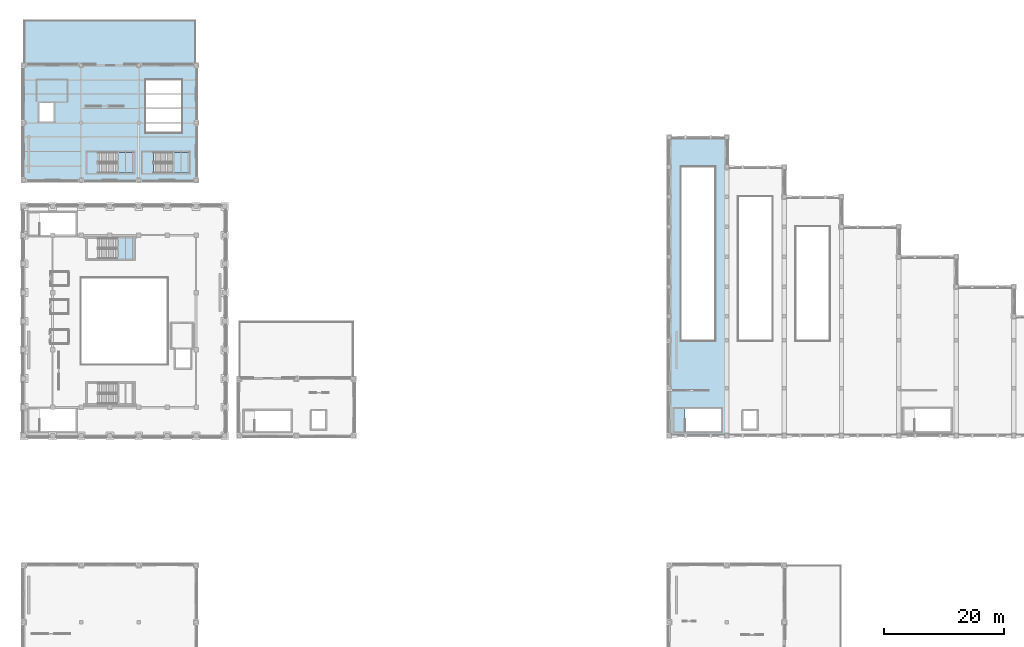
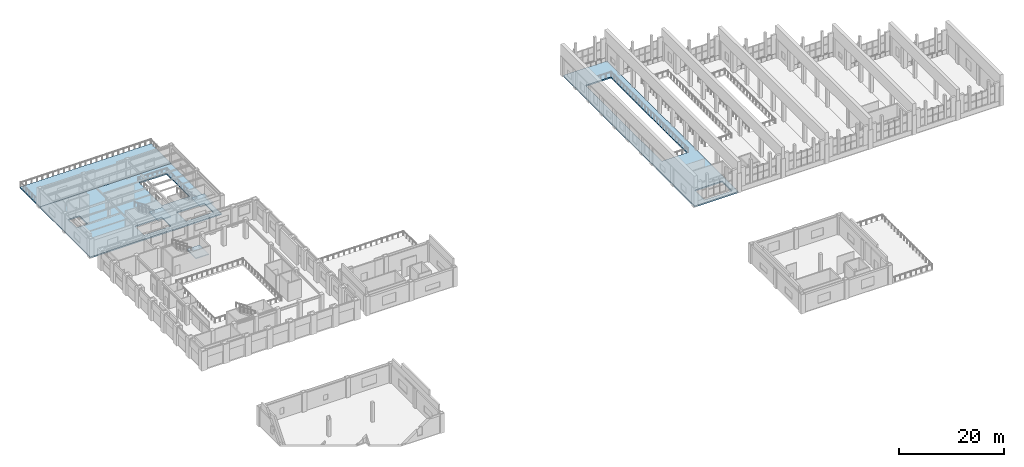
# One storey, part 22 of 46: 6 slabs, 3 elements without a shape of their own.
"""IFC4 building model written with IfcOpenShell, lengths in metres."""

from ifc_helpers import new_model, si_unit, direction, frame, origin, place, context, subcontext, project, spatial, polyline, outline, extrude, material, layer, layer_set, type_object, element, aggregate, save


model = new_model("IFC4")

# Units and contexts
model_context = context("Model", 3, precision=1e-05, world=origin(), true_north=direction((0.0, 1.0)))
body_context = subcontext(model_context, "Body", "Model", "MODEL_VIEW")
ifc_project = project(units=[si_unit("LENGTHUNIT", "METRE"), si_unit("AREAUNIT", "SQUARE_METRE"), si_unit("VOLUMEUNIT", "CUBIC_METRE"), si_unit("PLANEANGLEUNIT", "RADIAN"), si_unit("MASSUNIT", "GRAM", prefix="KILO")], contexts=[model_context])

# Site, building, storey
site_placement = place(None, origin())
site = spatial("IfcSite", under=ifc_project, at=site_placement, CompositionType="ELEMENT")
building_placement = place(site_placement, origin())
building = spatial("IfcBuilding", under=site, at=building_placement, Name="Mavantir Sound Aquarium", CompositionType="ELEMENT")
storey_placement = place(building_placement, frame((0.0, 0.0, 15.300048828125)))
storey = spatial("IfcBuildingStorey", under=building, at=storey_placement, Name="L03", CompositionType="ELEMENT", Elevation=15.300048828125)

# Slabs
ifc_material = material(Name="Concrete C40/50", Category="concrete")
ifc_layer_1 = layer(ifc_material, 0.280029296875, Name="Concrete C40/50")
ifc_layer_set_1 = layer_set([ifc_layer_1], Name="Concrete C40/50")
slab_type_1 = type_object("IfcSlabType", Name="SLB-FS-04", PredefinedType="FLOOR", material=ifc_layer_set_1)
slab_1_placement = place(storey_placement, frame((0.0, 0.0, -0.280029296875)))
element("IfcSlab", 1, at=slab_1_placement, inside=storey, type_object=slab_type_1, Name="L03 structural slab FS-04 (V5)", PredefinedType="FLOOR", context=body_context, shape_type="SweptSolid", body=[
    extrude(outline(polyline([(28.800048828125, 83.60009765625), (28.800048828125, 102.800048828125), (0.0, 102.800048828125), (0.0, 83.60009765625), (28.800048828125, 83.60009765625)]), holes=[polyline([(20.39990234375, 91.60009765625), (26.39990234375, 91.60009765625), (26.39990234375, 100.39990234375), (20.39990234375, 100.39990234375), (20.39990234375, 91.60009765625)]), polyline([(12.39990234375, 84.800048828125), (18.39990234375, 84.800048828125), (18.39990234375, 88.25), (12.39990234375, 88.25), (12.39990234375, 84.800048828125)]), polyline([(21.699951171875, 84.800048828125), (27.699951171875, 84.800048828125), (27.699951171875, 88.25), (21.699951171875, 88.25), (21.699951171875, 84.800048828125)]), polyline([(2.60009765625, 93.39990234375), (5.0, 93.39990234375), (5.0, 96.5), (2.60009765625, 96.5), (2.60009765625, 93.39990234375)])]), origin(), (0.0, 0.0, 1.0), 0.280029296875),
])
ifc_layer_2 = layer(ifc_material, 0.31005859375, Name="Concrete C40/50")
ifc_layer_set_2 = layer_set([ifc_layer_2], Name="Concrete C40/50")
slab_type_2 = type_object("IfcSlabType", Name="SLB-FS-07", PredefinedType="FLOOR", material=ifc_layer_set_2)
slab_2_placement = place(storey_placement, frame((0.0, 0.0, -0.31005859375)))
element("IfcSlab", 2, at=slab_2_placement, inside=storey, type_object=slab_type_2, Name="L03 structural slab FS-07 (V4)", PredefinedType="FLOOR", context=body_context, shape_type="SweptSolid", body=[
    extrude(outline(polyline([(117.60009765625, 40.800048828125), (117.60009765625, 90.800048828125), (108.0, 90.800048828125), (108.0, 40.800048828125), (117.60009765625, 40.800048828125)]), holes=[polyline([(110.0, 56.800048828125), (115.60009765625, 56.800048828125), (115.60009765625, 85.800048828125), (110.0, 85.800048828125), (110.0, 56.800048828125)]), polyline([(110.64990234375, 41.60009765625), (116.64990234375, 41.60009765625), (116.64990234375, 45.35009765625), (110.64990234375, 45.35009765625), (110.64990234375, 41.60009765625)])]), origin(), (0.0, 0.0, 1.0), 0.31005859375),
])

# Stair, slab
stair_type = type_object("IfcStairType", Name="STR-1650-4500", PredefinedType="HALF_TURN_STAIR", material=ifc_material)
stair_1_placement = place(storey_placement, origin())
stair_1 = element("IfcStair", 3, at=stair_1_placement, inside=storey, type_object=stair_type, Name="L03 Protected exit stair ST10", PredefinedType="HALF_TURN_STAIR")
ifc_layer_3 = layer(ifc_material, 0.199951171875, Name="Concrete C40/50")
ifc_layer_set_3 = layer_set([ifc_layer_3], Name="Concrete C40/50")
slab_type_3 = type_object("IfcSlabType", Name="SLB-LND-360", PredefinedType="LANDING", material=ifc_layer_set_3)
slab_3_placement = place(storey_placement, frame((0.0, 0.0, 2.050048828125)))
slab_3 = element("IfcSlab", 4, at=slab_3_placement, type_object=slab_type_3, Name="ST10 landing 1", PredefinedType="LANDING", context=body_context, shape_type="SweptSolid", body=[
    extrude(outline(polyline([(15.590087890625, 70.449951171875), (18.39990234375, 70.449951171875), (18.39990234375, 73.89990234375), (15.590087890625, 73.89990234375), (15.590087890625, 70.449951171875)])), origin(), (0.0, 0.0, 1.0), 0.199951171875),
])
aggregate(stair_1, [slab_3])

stair_2_placement = place(storey_placement, origin())
stair_2 = element("IfcStair", 5, at=stair_2_placement, inside=storey, type_object=stair_type, Name="L03 Protected exit stair ST5", PredefinedType="HALF_TURN_STAIR")
slab_4_placement = place(storey_placement, frame((0.0, 0.0, 2.050048828125)))
slab_4 = element("IfcSlab", 6, at=slab_4_placement, type_object=slab_type_3, Name="ST5 landing 1", PredefinedType="LANDING", context=body_context, shape_type="SweptSolid", body=[
    extrude(outline(polyline([(15.590087890625, 84.800048828125), (18.39990234375, 84.800048828125), (18.39990234375, 88.25), (15.590087890625, 88.25), (15.590087890625, 84.800048828125)])), origin(), (0.0, 0.0, 1.0), 0.199951171875),
])
aggregate(stair_2, [slab_4])

stair_3_placement = place(storey_placement, origin())
stair_3 = element("IfcStair", 7, at=stair_3_placement, inside=storey, type_object=stair_type, Name="L03 Protected exit stair ST7", PredefinedType="HALF_TURN_STAIR")
slab_5_placement = place(storey_placement, frame((0.0, 0.0, 2.050048828125)))
slab_5 = element("IfcSlab", 8, at=slab_5_placement, type_object=slab_type_3, Name="ST7 landing 1", PredefinedType="LANDING", context=body_context, shape_type="SweptSolid", body=[
    extrude(outline(polyline([(24.889892578125, 84.800048828125), (27.699951171875, 84.800048828125), (27.699951171875, 88.25), (24.889892578125, 88.25), (24.889892578125, 84.800048828125)])), origin(), (0.0, 0.0, 1.0), 0.199951171875),
])
aggregate(stair_3, [slab_5])

# Slab
ifc_layer_4 = layer(ifc_material, 0.320068359375, Name="Concrete C40/50")
ifc_layer_set_4 = layer_set([ifc_layer_4], Name="Concrete C40/50")
slab_type_4 = type_object("IfcSlabType", Name="SLB-TRS-01", PredefinedType="FLOOR", material=ifc_layer_set_4)
slab_6_placement = place(storey_placement, frame((0.0, 0.0, -0.320068359375)))
element("IfcSlab", 9, at=slab_6_placement, inside=storey, type_object=slab_type_4, Name="L03 outdoor terrace slab TRS-01", PredefinedType="FLOOR", context=body_context, shape_type="SweptSolid", body=[
    extrude(outline(polyline([(0.0, 102.800048828125), (28.800048828125, 102.800048828125), (28.800048828125, 110.39990234375), (0.0, 110.39990234375), (0.0, 102.800048828125)])), origin(), (0.0, 0.0, 1.0), 0.320068359375),
])

save(model, "model.ifc")
